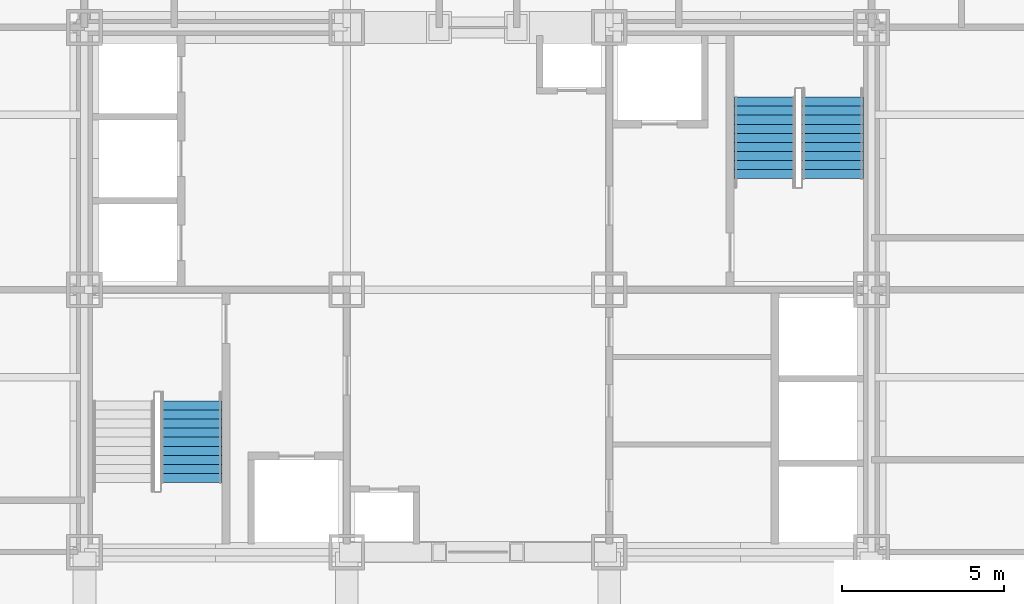
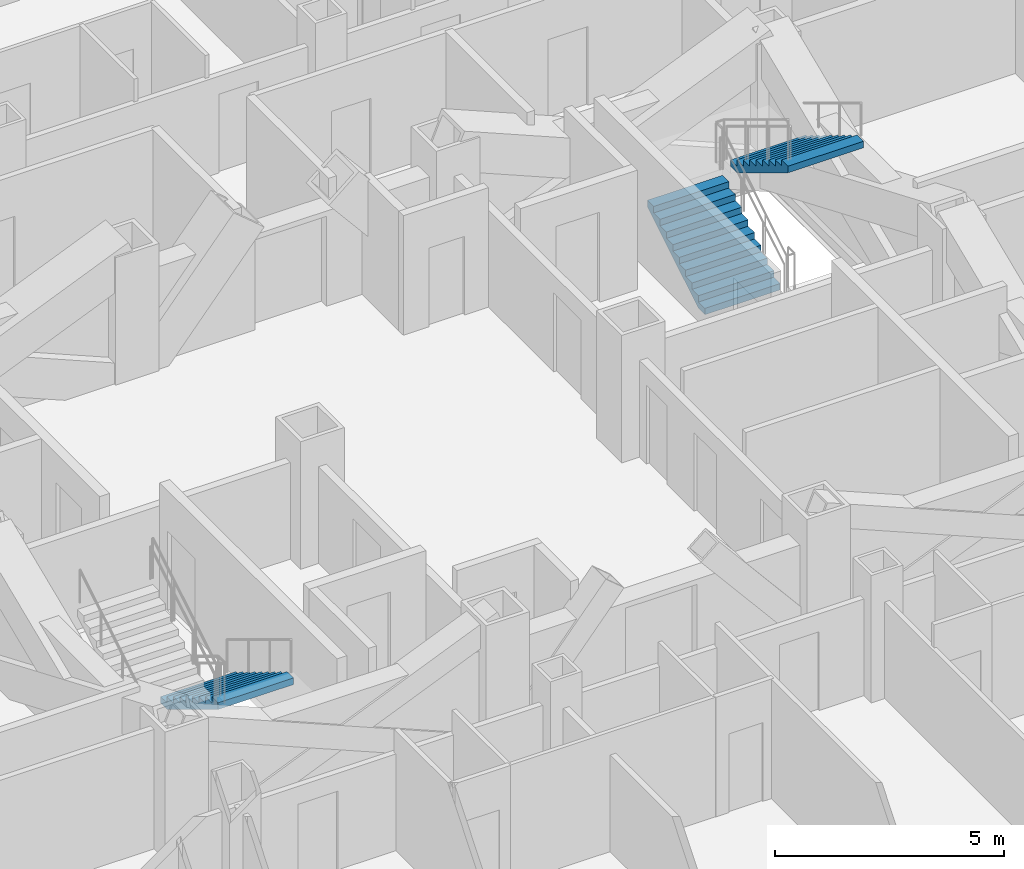
# One storey, part 12 of 13: 3 stair flights, 2 elements without a shape of their own.
"""IFC4 building model written with IfcOpenShell, lengths in metres."""

from ifc_helpers import new_model, si_unit, direction, frame, origin, place, context, subcontext, project, spatial, polygons, source, transform, mapped, material, type_object, element, aggregate, save


model = new_model("IFC4")

# Units and contexts
model_context = context("Model", 3, precision=1e-05, world=origin(), true_north=direction((0.0, 1.0)))
body_context = subcontext(model_context, "Body", "Model", "MODEL_VIEW")
ifc_project = project(units=[si_unit("LENGTHUNIT", "METRE"), si_unit("AREAUNIT", "SQUARE_METRE"), si_unit("VOLUMEUNIT", "CUBIC_METRE"), si_unit("PLANEANGLEUNIT", "RADIAN"), si_unit("MASSUNIT", "GRAM", prefix="KILO")], contexts=[model_context])

# Site, building, storey
site_placement = place(None, origin())
site = spatial("IfcSite", under=ifc_project, at=site_placement, CompositionType="ELEMENT")
building_placement = place(site_placement, origin())
building = spatial("IfcBuilding", under=site, at=building_placement, Name="Kopane Lantern Tower", CompositionType="ELEMENT")
storey_placement = place(building_placement, frame((0.0, 0.0, 130.60009765625)))
storey = spatial("IfcBuildingStorey", under=building, at=storey_placement, Name="L33", CompositionType="ELEMENT", Elevation=130.60009765625)

# Stair, stair flight
ifc_material_1 = material(Name="Steel S355JR", Category="steel")
stair_type = type_object("IfcStairType", Name="EXIT STAIR 1900 HALF TURN", PredefinedType="HALF_TURN_STAIR", material=ifc_material_1)
stair_1_placement = place(storey_placement, origin())
stair_1 = element("IfcStair", 1, at=stair_1_placement, inside=storey, type_object=stair_type, Name="Exit stair ST1 L33", PredefinedType="HALF_TURN_STAIR")
ifc_material_2 = material(Name="Steel S355JR", Category="steel")
stair_flight_type = type_object("IfcStairFlightType", Name="STAIR FLIGHT 1900 STEEL", PredefinedType="STRAIGHT", material=ifc_material_2)
shared_shape = source(origin(), body_context, "Body", "Tessellation", [
    polygons([(2.520019531, 0.949951172, 1.530029297), (2.239990234, 0.949951172, 1.530029297), (2.239990234, -0.949951172, 1.530029297), (2.520019531, -0.949951172, 1.530029297), (0.288818359, 0.949951172, 0.0), (2.520019531, 0.949951172, 1.354736328), (2.520019531, -0.949951172, 1.354736328), (0.288818359, -0.949951172, 0.0), (0.0, 0.949951172, 0.0), (0.0, -0.949951172, 0.0), (0.280029297, 0.949951172, 0.169921875), (0.0, 0.949951172, 0.169921875), (0.0, -0.949951172, 0.169921875), (0.280029297, -0.949951172, 0.169921875), (0.280029297, 0.949951172, 0.340087891), (0.280029297, -0.949951172, 0.340087891), (0.560058594, 0.949951172, 0.340087891), (0.560058594, -0.949951172, 0.340087891), (0.560058594, 0.949951172, 0.510009766), (0.560058594, -0.949951172, 0.510009766), (0.840087891, 0.949951172, 0.510009766), (0.840087891, -0.949951172, 0.510009766), (0.840087891, 0.949951172, 0.679931641), (0.840087891, -0.949951172, 0.679931641), (1.120117188, 0.949951172, 0.679931641), (1.120117188, -0.949951172, 0.679931641), (1.120117188, 0.949951172, 0.850097656), (1.120117188, -0.949951172, 0.850097656), (1.399902344, 0.949951172, 0.850097656), (1.399902344, -0.949951172, 0.850097656), (1.399902344, 0.949951172, 1.020019531), (1.399902344, -0.949951172, 1.020019531), (1.679931641, 0.949951172, 1.020019531), (1.679931641, -0.949951172, 1.020019531), (1.679931641, 0.949951172, 1.189941406), (1.679931641, -0.949951172, 1.189941406), (1.959960938, 0.949951172, 1.189941406), (1.959960938, -0.949951172, 1.189941406), (1.959960938, 0.949951172, 1.360107422), (1.959960938, -0.949951172, 1.360107422), (2.239990234, 0.949951172, 1.360107422), (2.239990234, -0.949951172, 1.360107422), (0.0, 0.0, 0.004592483), (0.0, 0.0, 0.009184966), (0.0, 0.0, 0.013777449), (0.0, 0.0, 0.018369932), (0.0, 0.0, 0.022962416), (0.0, 0.0, 0.027554899), (0.0, 0.0, 0.032147382), (0.0, 0.0, 0.036739865), (0.0, 0.0, 0.041332348), (0.0, 0.0, 0.045924831), (0.0, 0.0, 0.050517314), (0.0, 0.0, 0.055109797), (0.0, 0.0, 0.05970228), (0.0, 0.0, 0.064294764), (0.0, 0.0, 0.068887247), (0.0, 0.0, 0.07347973), (0.0, 0.0, 0.078072213), (0.0, 0.0, 0.082664696), (0.0, 0.0, 0.087257179), (0.0, 0.0, 0.091849662), (0.0, 0.0, 0.096442145), (0.0, 0.0, 0.101034628), (0.0, 0.0, 0.105627111), (0.0, 0.0, 0.110219595), (0.0, 0.0, 0.114812078), (0.0, 0.0, 0.119404561), (0.0, 0.0, 0.123997044), (0.0, 0.0, 0.128589527), (0.0, 0.0, 0.13318201), (0.0, 0.0, 0.137774493), (0.0, 0.0, 0.142366976), (0.0, 0.0, 0.146959459), (0.0, 0.0, 0.151551943), (0.0, 0.0, 0.156144426), (0.0, 0.0, 0.160736909), (0.0, 0.0, 0.165329392), (2.520019531, 0.0, 1.359473976), (2.520019531, 0.0, 1.364211624), (2.520019531, 0.0, 1.368949272), (2.520019531, 0.0, 1.373686919), (2.520019531, 0.0, 1.378424567), (2.520019531, 0.0, 1.383162215), (2.520019531, 0.0, 1.387899863), (2.520019531, 0.0, 1.392637511), (2.520019531, 0.0, 1.397375158), (2.520019531, 0.0, 1.402112806), (2.520019531, 0.0, 1.406850454), (2.520019531, 0.0, 1.411588102), (2.520019531, 0.0, 1.41632575), (2.520019531, 0.0, 1.421063397), (2.520019531, 0.0, 1.425801045), (2.520019531, 0.0, 1.430538693), (2.520019531, 0.0, 1.435276341), (2.520019531, 0.0, 1.440013989), (2.520019531, 0.0, 1.444751636), (2.520019531, 0.0, 1.449489284), (2.520019531, 0.0, 1.454226932), (2.520019531, 0.0, 1.45896458), (2.520019531, 0.0, 1.463702228), (2.520019531, 0.0, 1.468439875), (2.520019531, 0.0, 1.473177523), (2.520019531, 0.0, 1.477915171), (2.520019531, 0.0, 1.482652819), (2.520019531, 0.0, 1.487390467), (2.520019531, 0.0, 1.492128114), (2.520019531, 0.0, 1.496865762), (2.520019531, 0.0, 1.50160341), (2.520019531, 0.0, 1.506341058), (2.520019531, 0.0, 1.511078706), (2.520019531, 0.0, 1.515816353), (2.520019531, 0.0, 1.520554001), (2.520019531, 0.0, 1.525291649)], [[[1, 2, 3]], [[1, 3, 4]], [[5, 6, 7]], [[5, 7, 8]], [[9, 5, 8]], [[9, 8, 10]], [[11, 12, 13]], [[11, 13, 14]], [[15, 11, 14]], [[15, 14, 16]], [[17, 15, 16]], [[17, 16, 18]], [[19, 17, 18]], [[19, 18, 20]], [[21, 19, 20]], [[21, 20, 22]], [[23, 21, 22]], [[23, 22, 24]], [[25, 23, 24]], [[25, 24, 26]], [[27, 25, 26]], [[27, 26, 28]], [[29, 27, 28]], [[29, 28, 30]], [[31, 29, 30]], [[31, 30, 32]], [[33, 31, 32]], [[33, 32, 34]], [[35, 33, 34]], [[35, 34, 36]], [[37, 35, 36]], [[37, 36, 38]], [[39, 37, 38]], [[39, 38, 40]], [[41, 39, 40]], [[41, 40, 42]], [[2, 41, 42]], [[2, 42, 3]], [[41, 1, 6]], [[37, 41, 6]], [[2, 1, 41]], [[33, 37, 6]], [[39, 41, 37]], [[35, 37, 33]], [[31, 33, 29]], [[5, 21, 25]], [[27, 29, 25]], [[17, 21, 5]], [[23, 25, 21]], [[11, 17, 5]], [[19, 21, 17]], [[9, 11, 5]], [[15, 17, 11]], [[12, 11, 9]], [[6, 5, 25]], [[6, 25, 29]], [[6, 29, 33]], [[7, 4, 42]], [[7, 42, 38]], [[42, 4, 3]], [[7, 38, 34]], [[38, 42, 40]], [[34, 38, 36]], [[30, 34, 32]], [[26, 22, 8]], [[26, 30, 28]], [[8, 22, 18]], [[22, 26, 24]], [[8, 18, 14]], [[18, 22, 20]], [[8, 14, 10]], [[14, 18, 16]], [[10, 14, 13]], [[26, 8, 7]], [[30, 26, 7]], [[34, 30, 7]], [[10, 43, 9]], [[10, 44, 43]], [[9, 43, 44]], [[10, 45, 44]], [[9, 44, 45]], [[10, 46, 45]], [[9, 45, 46]], [[10, 47, 46]], [[9, 46, 47]], [[10, 48, 47]], [[9, 47, 48]], [[10, 49, 48]], [[9, 48, 49]], [[10, 50, 49]], [[9, 49, 50]], [[10, 51, 50]], [[9, 50, 51]], [[10, 52, 51]], [[9, 51, 52]], [[10, 53, 52]], [[9, 52, 53]], [[10, 54, 53]], [[9, 53, 54]], [[10, 55, 54]], [[9, 54, 55]], [[10, 56, 55]], [[9, 55, 56]], [[10, 57, 56]], [[9, 56, 57]], [[10, 58, 57]], [[9, 57, 58]], [[10, 59, 58]], [[9, 58, 59]], [[10, 60, 59]], [[9, 59, 60]], [[10, 61, 60]], [[9, 60, 61]], [[10, 62, 61]], [[9, 61, 62]], [[10, 63, 62]], [[9, 62, 63]], [[10, 64, 63]], [[9, 63, 64]], [[10, 65, 64]], [[9, 64, 65]], [[10, 66, 65]], [[9, 65, 66]], [[10, 67, 66]], [[9, 66, 67]], [[10, 68, 67]], [[9, 67, 68]], [[10, 69, 68]], [[9, 68, 69]], [[10, 70, 69]], [[9, 69, 70]], [[10, 71, 70]], [[9, 70, 71]], [[10, 72, 71]], [[9, 71, 72]], [[10, 73, 72]], [[9, 72, 73]], [[10, 74, 73]], [[9, 73, 74]], [[10, 75, 74]], [[9, 74, 75]], [[10, 76, 75]], [[9, 75, 76]], [[10, 77, 76]], [[9, 76, 77]], [[10, 78, 77]], [[9, 77, 78]], [[10, 13, 78]], [[78, 13, 12]], [[9, 78, 12]], [[7, 6, 79]], [[7, 79, 80]], [[6, 80, 79]], [[7, 80, 81]], [[6, 81, 80]], [[7, 81, 82]], [[6, 82, 81]], [[7, 82, 83]], [[6, 83, 82]], [[7, 83, 84]], [[6, 84, 83]], [[7, 84, 85]], [[6, 85, 84]], [[7, 85, 86]], [[6, 86, 85]], [[7, 86, 87]], [[6, 87, 86]], [[7, 87, 88]], [[6, 88, 87]], [[7, 88, 89]], [[6, 89, 88]], [[7, 89, 90]], [[6, 90, 89]], [[7, 90, 91]], [[6, 91, 90]], [[7, 91, 92]], [[6, 92, 91]], [[7, 92, 93]], [[6, 93, 92]], [[7, 93, 94]], [[6, 94, 93]], [[7, 94, 95]], [[6, 95, 94]], [[7, 95, 96]], [[6, 96, 95]], [[7, 96, 97]], [[6, 97, 96]], [[7, 97, 98]], [[6, 98, 97]], [[7, 98, 99]], [[6, 99, 98]], [[7, 99, 100]], [[6, 100, 99]], [[7, 100, 101]], [[6, 101, 100]], [[7, 101, 102]], [[6, 102, 101]], [[7, 102, 103]], [[6, 103, 102]], [[7, 103, 104]], [[6, 104, 103]], [[7, 104, 105]], [[6, 105, 104]], [[7, 105, 106]], [[6, 106, 105]], [[7, 106, 107]], [[6, 107, 106]], [[7, 107, 108]], [[6, 108, 107]], [[7, 108, 109]], [[6, 109, 108]], [[7, 109, 110]], [[6, 110, 109]], [[7, 110, 111]], [[6, 111, 110]], [[7, 111, 112]], [[6, 112, 111]], [[7, 112, 113]], [[6, 113, 112]], [[7, 113, 114]], [[6, 114, 113]], [[7, 114, 4]], [[114, 1, 4]], [[6, 1, 114]]], closed=True),
])
stair_flight_1_placement = place(storey_placement, frame((19.5, 28.969970703125, 0.0), z_axis=(0.0, 0.0, 1.0), x_axis=(0.0, -1.0, 0.0)))
stair_flight_1 = element("IfcStairFlight", 2, at=stair_flight_1_placement, type_object=stair_flight_type, Name="ST1 flight 1", NumberOfRisers=10, NumberOfTreads=9, PredefinedType="STRAIGHT", RiserHeight=0.17, TreadLength=0.28, context=body_context, shape_type="MappedRepresentation", body=[
    mapped(shared_shape, transform((0.0, 0.0, 0.0))),
])
aggregate(stair_1, [stair_flight_1])

# Stair, stair flights
stair_2_placement = place(storey_placement, origin())
stair_2 = element("IfcStair", 3, at=stair_2_placement, inside=storey, type_object=stair_type, Name="Exit stair ST2 L33", PredefinedType="HALF_TURN_STAIR")
stair_flight_2_placement = place(storey_placement, frame((37.199951171875, 35.830078125, 0.0), z_axis=(0.0, 0.0, 1.0), x_axis=(0.0, 1.0, 0.0)))
stair_flight_2 = element("IfcStairFlight", 4, at=stair_flight_2_placement, type_object=stair_flight_type, Name="ST2 flight 1", NumberOfRisers=10, NumberOfTreads=9, PredefinedType="STRAIGHT", RiserHeight=0.17, TreadLength=0.28, context=body_context, shape_type="MappedRepresentation", body=[
    mapped(shared_shape, transform((0.0, 0.0, 0.0))),
])
stair_flight_3_placement = place(storey_placement, frame((39.300048828125, 38.35009765625, 1.699951171875), z_axis=(0.0, 0.0, 1.0), x_axis=(0.0, -1.0, 0.0)))
stair_flight_3 = element("IfcStairFlight", 5, at=stair_flight_3_placement, type_object=stair_flight_type, Name="ST2 flight 2", NumberOfRisers=10, NumberOfTreads=9, PredefinedType="STRAIGHT", RiserHeight=0.17, TreadLength=0.28, context=body_context, shape_type="MappedRepresentation", body=[
    mapped(shared_shape, transform((0.0, 0.0, 0.0))),
])
aggregate(stair_2, [stair_flight_2, stair_flight_3])

save(model, "model.ifc")
